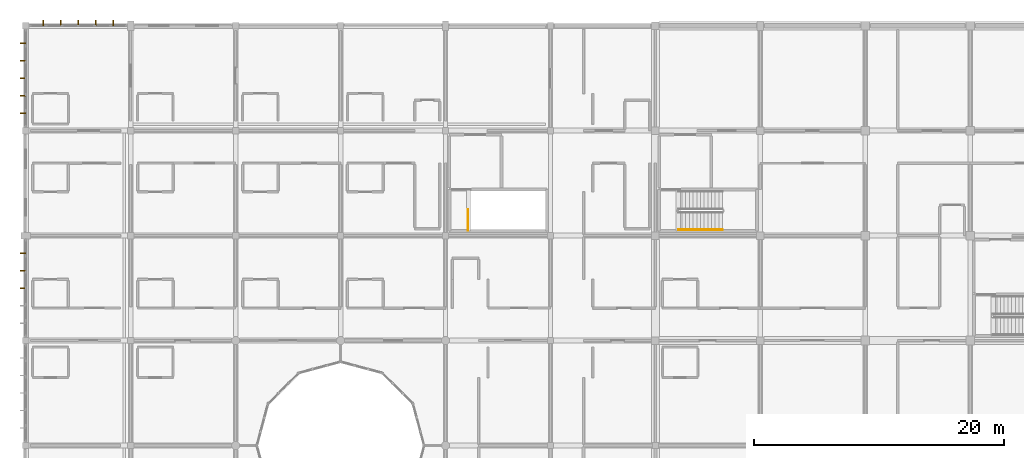
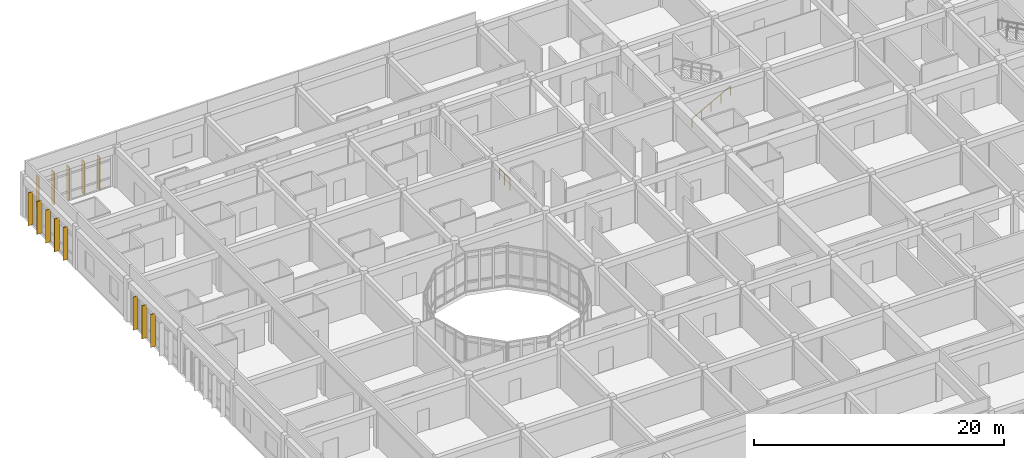
# One storey, part 110 of 119: 13 shading devices, 2 railings.
"""IFC4 building model written with IfcOpenShell, lengths in metres."""

from ifc_helpers import new_model, si_unit, direction, frame, origin, origin_2d, place, context, subcontext, project, spatial, rectangle, circle, extrude, material, material_profile, profile_set, type_object, element, save


model = new_model("IFC4")

# Units and contexts
model_context = context("Model", 3, precision=1e-05, world=origin(), true_north=direction((0.0, 1.0)))
body_context = subcontext(model_context, "Body", "Model", "MODEL_VIEW")
ifc_project = project(units=[si_unit("LENGTHUNIT", "METRE"), si_unit("AREAUNIT", "SQUARE_METRE"), si_unit("VOLUMEUNIT", "CUBIC_METRE"), si_unit("PLANEANGLEUNIT", "RADIAN"), si_unit("MASSUNIT", "GRAM", prefix="KILO")], contexts=[model_context])

# Site, building, storey
site_placement = place(None, origin())
site = spatial("IfcSite", under=ifc_project, at=site_placement, CompositionType="ELEMENT")
building_placement = place(site_placement, origin())
building = spatial("IfcBuilding", under=site, at=building_placement, Name="Bramfleet General Hospital", CompositionType="ELEMENT")
storey_placement = place(building_placement, frame((0.0, 0.0, 14.39990234375)))
storey = spatial("IfcBuildingStorey", under=building, at=storey_placement, Name="L03", CompositionType="ELEMENT", Elevation=14.39990234375)

# Railings
ifc_material_1 = material(Name="Powder-coated steel stair balustrade", Category="steel")
railing_type_1 = type_object("IfcRailingType", Name="RAIL-ST-GUARD", PredefinedType="GUARDRAIL", material=ifc_material_1)
railing_1_placement = place(storey_placement, frame((35.389892578125, 101.219970703125, 0.0)))
element("IfcRailing", 1, at=railing_1_placement, inside=storey, type_object=railing_type_1, Name="L03 ST-C8 top well guard 1", PredefinedType="GUARDRAIL", context=body_context, shape_type="SweptSolid", body=[
    extrude(circle(Radius=0.02392578125, at=origin_2d()), frame((0.0, 0.0, 1.076171875), z_axis=(0.0, 1.0, 0.0), x_axis=(-1.0, 0.0, 0.0)), (0.0, 0.0, 1.0), 1.659912109375),
    extrude(circle(Radius=0.02099609375, at=origin_2d()), origin(), (0.0, 0.0, 1.0), 1.052001953125),
    extrude(circle(Radius=0.02099609375, at=origin_2d()), frame((0.0, 0.830078125, 0.0)), (0.0, 0.0, 1.0), 1.052001953125),
    extrude(circle(Radius=0.02099609375, at=origin_2d()), frame((0.0, 1.659912109375, 0.0)), (0.0, 0.0, 1.0), 1.052001953125),
])
ifc_material_2 = material(Name="Stainless steel 1.4301 stair handrail", Category="steel")
railing_type_2 = type_object("IfcRailingType", Name="RAIL-ST-HND", PredefinedType="HANDRAIL", material=ifc_material_2)
railing_2_placement = place(storey_placement, frame((52.239990234375, 101.27001953125, 0.16162109375)))
element("IfcRailing", 2, at=railing_2_placement, inside=storey, type_object=railing_type_2, Name="L03 ST-C14 stair handrail 1", PredefinedType="HANDRAIL", context=body_context, shape_type="SweptSolid", body=[
    extrude(circle(Radius=0.02392578125, at=origin_2d()), frame((0.0, 0.0, 0.8759765625), z_axis=(0.877108402541, 0.0, 0.480292463185), x_axis=(0.0, 1.0, 0.0)), (0.0, 0.0, 1.0), 4.0361328125),
    extrude(circle(Radius=0.02099609375, at=origin_2d()), origin(), (0.0, 0.0, 1.0), 0.851806640625),
    extrude(circle(Radius=0.02099609375, at=origin_2d()), frame((0.885009765625, 0.0, 0.484619140625)), (0.0, 0.0, 1.0), 0.851806640625),
    extrude(circle(Radius=0.02099609375, at=origin_2d()), frame((1.77001953125, 0.0, 0.96923828125)), (0.0, 0.0, 1.0), 0.851806640625),
    extrude(circle(Radius=0.02099609375, at=origin_2d()), frame((2.655029296875, 0.0, 1.453857421875)), (0.0, 0.0, 1.0), 0.851806640625),
    extrude(circle(Radius=0.02099609375, at=origin_2d()), frame((3.5400390625, 0.0, 1.9384765625)), (0.0, 0.0, 1.0), 0.851806640625),
])

# Shading devices
ifc_material_3 = material(Name="Treated European larch timber", Category="wood")
ifc_material_profile = material_profile(ifc_material_3, rectangle(XDim=0.06494140625, YDim=0.449951171875, at=origin_2d()), Name="LARCH FIN 450x65")
ifc_profile_set = profile_set([ifc_material_profile], Name="Treated European larch timber")
shading_device_type = type_object("IfcShadingDeviceType", Name="SHD-FIN-450", PredefinedType="USERDEFINED", material=ifc_profile_set)
for number, where, z_axis, x_axis, name in (
    (3, (-0.239990234375, 96.60009765625, -0.02001953125), (0.0, 0.0, 1.0), (0.0, 1.0, 0.0), "L03 Larch Timber Shading Fin 531"),
    (4, (-0.239990234375, 98.0, -0.02001953125), (0.0, 0.0, 1.0), (0.0, 1.0, 0.0), "L03 Larch Timber Shading Fin 532"),
    (5, (-0.239990234375, 99.39990234375, -0.02001953125), (0.0, 0.0, 1.0), (0.0, 1.0, 0.0), "L03 Larch Timber Shading Fin 533"),
    (6, (-0.239990234375, 110.60009765625, -0.02001953125), (0.0, 0.0, 1.0), (0.0, 1.0, 0.0), "L03 Larch Timber Shading Fin 534"),
    (7, (-0.239990234375, 112.0, -0.02001953125), (0.0, 0.0, 1.0), (0.0, 1.0, 0.0), "L03 Larch Timber Shading Fin 535"),
    (8, (-0.239990234375, 113.39990234375, -0.02001953125), (0.0, 0.0, 1.0), (0.0, 1.0, 0.0), "L03 Larch Timber Shading Fin 536"),
    (9, (-0.239990234375, 114.800048828125, -0.02001953125), (0.0, 0.0, 1.0), (0.0, 1.0, 0.0), "L03 Larch Timber Shading Fin 537"),
    (10, (-0.239990234375, 116.199951171875, -0.02001953125), (0.0, 0.0, 1.0), (0.0, 1.0, 0.0), "L03 Larch Timber Shading Fin 538"),
    (11, (1.39990234375, 117.840087890625, -0.02001953125), (0.0, 0.0, 1.0), (1.0, 0.0, 0.0), "L03 Larch Timber Shading Fin 539"),
    (12, (2.800048828125, 117.840087890625, -0.02001953125), (0.0, 0.0, 1.0), (1.0, 0.0, 0.0), "L03 Larch Timber Shading Fin 540"),
    (13, (4.199951171875, 117.840087890625, -0.02001953125), (0.0, 0.0, 1.0), (1.0, 0.0, 0.0), "L03 Larch Timber Shading Fin 541"),
    (14, (5.60009765625, 117.840087890625, -0.02001953125), (0.0, 0.0, 1.0), (1.0, 0.0, 0.0), "L03 Larch Timber Shading Fin 542"),
    (15, (7.0, 117.840087890625, -0.02001953125), (0.0, 0.0, 1.0), (1.0, 0.0, 0.0), "L03 Larch Timber Shading Fin 543"),
):
    element("IfcShadingDevice", number, at=place(storey_placement, frame(where, z_axis=z_axis, x_axis=x_axis)), inside=storey, type_object=shading_device_type, Name=name, ObjectType="Fin", PredefinedType="USERDEFINED", context=body_context, shape_type="SweptSolid", body=[
        extrude(rectangle(XDim=0.06494140625, YDim=0.449951171875, at=origin_2d()), origin(), (0.0, 0.0, 1.0), 3.22021484375),
    ])

save(model, "model.ifc")
